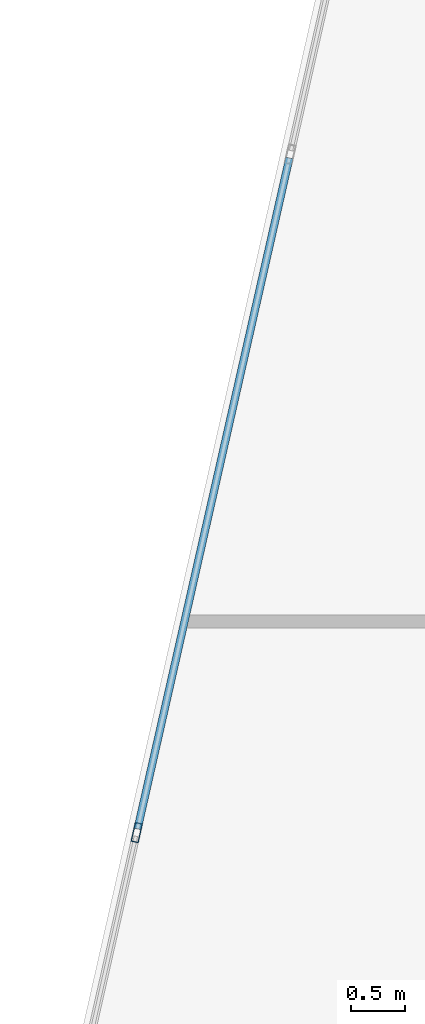
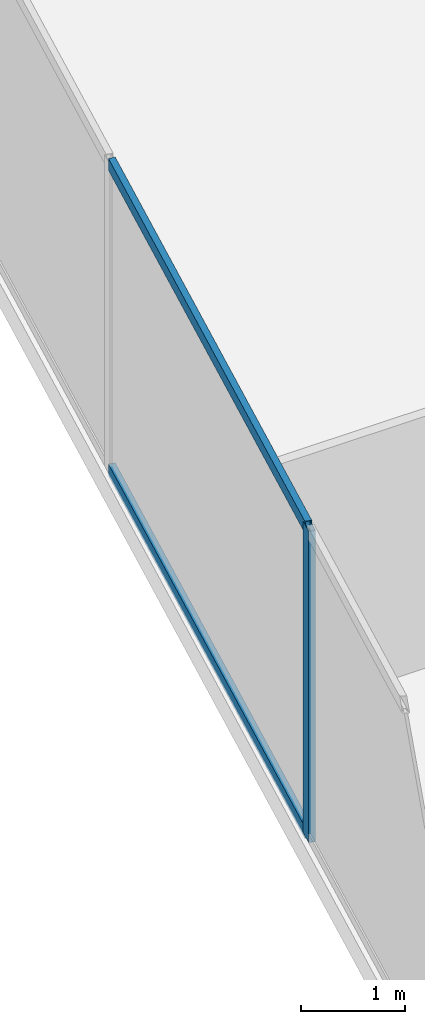
# One storey, part 8 of 26: 3 members, 1 element without a shape of its own.
"""IFC4 building model written with IfcOpenShell, lengths in metres."""

from ifc_helpers import new_model, si_unit, direction, frame, origin, origin_2d, place, context, subcontext, project, spatial, hollow_rectangle, extrude, source, transform, mapped, material, material_profile, profile_set, type_object, type_shapes, element, aggregate, save


model = new_model("IFC4")

# Units and contexts
model_context = context("Model", 3, precision=1e-05, world=origin(), true_north=direction((0.0, 1.0)))
body_context = subcontext(model_context, "Body", "Model", "MODEL_VIEW")
ifc_project = project(units=[si_unit("LENGTHUNIT", "METRE"), si_unit("AREAUNIT", "SQUARE_METRE"), si_unit("VOLUMEUNIT", "CUBIC_METRE"), si_unit("PLANEANGLEUNIT", "RADIAN"), si_unit("MASSUNIT", "GRAM", prefix="KILO")], contexts=[model_context])

# Site, building, storey
site_placement = place(None, origin())
site = spatial("IfcSite", under=ifc_project, at=site_placement, CompositionType="ELEMENT")
building_placement = place(site_placement, origin())
building = spatial("IfcBuilding", under=site, at=building_placement, Name="Krantzveldt Concourse Tower", CompositionType="ELEMENT")
storey_placement = place(building_placement, frame((0.0, 0.0, 90.050048828125)))
storey = spatial("IfcBuildingStorey", under=building, at=storey_placement, Name="L21", CompositionType="ELEMENT", Elevation=90.050048828125)

# Curtain wall, members
ifc_material = material(Name="Anodised aluminium 6063-T6", Category="aluminium")
curtain_wall_type = type_object("IfcCurtainWallType", Name="CW2", PredefinedType="USERDEFINED", material=ifc_material)
curtain_wall_placement = place(storey_placement, origin())
curtain_wall = element("IfcCurtainWall", 1, at=curtain_wall_placement, inside=storey, type_object=curtain_wall_type, Name="CW-L21-F01", ObjectType="UNITISED CURTAIN WALL", PredefinedType="USERDEFINED")
ifc_material_profile_1 = material_profile(ifc_material, hollow_rectangle(XDim=0.070068359375, YDim=0.179931640625, WallThickness=0.0048828125, at=origin_2d()), Name="Anodised aluminium 6063-T6", Category="aluminium")
ifc_profile_set_1 = profile_set([ifc_material_profile_1], Name="Anodised aluminium 6063-T6 - ALU-MULL 180x70x5")
member_type_1 = type_object("IfcMemberType", Name="CW-MUL-180", PredefinedType="MULLION", material=ifc_profile_set_1)
shared_shape_1 = source(origin(), body_context, "Body", "SweptSolid", [
    extrude(hollow_rectangle(XDim=0.070068359375, YDim=0.179931640625, WallThickness=0.0048828125, at=origin_2d()), origin(), (0.0, 0.0, 1.0), 3.669921875),
])
type_shapes(member_type_1, [shared_shape_1])
member_1_placement = place(storey_placement, frame((11.837646484375, 25.537353515625, 0.0), z_axis=(0.0, 0.0, 1.0), x_axis=(0.975342320609, -0.220697434579, 0.0)))
member_1 = element("IfcMember", 2, at=member_1_placement, type_object=member_type_1, Name="CW-Z12 mullion 5", PredefinedType="MULLION", context=body_context, shape_type="MappedRepresentation", body=[
    mapped(shared_shape_1, transform((0.0, 0.0, 0.0), x_axis=(1.0, 0.0, 0.0), y_axis=(0.0, 1.0, 0.0), z_axis=(0.0, 0.0, 1.0), scale=1.0)),
])
ifc_material_profile_2 = material_profile(ifc_material, hollow_rectangle(XDim=0.070068359375, YDim=0.139892578125, WallThickness=0.0048828125, at=origin_2d()), Name="Anodised aluminium 6063-T6", Category="aluminium")
ifc_profile_set_2 = profile_set([ifc_material_profile_2], Name="Anodised aluminium 6063-T6 - ALU-TRAN 140x70x5")
member_type_2 = type_object("IfcMemberType", Name="CW-TRN-150", PredefinedType="USERDEFINED", material=ifc_profile_set_2)
shared_shape_2 = source(origin(), body_context, "Body", "SweptSolid", [
    extrude(hollow_rectangle(XDim=0.070068359375, YDim=0.139892578125, WallThickness=0.0048828125, at=origin_2d()), origin(), (0.0, 0.0, 1.0), 6.396728515625),
])
type_shapes(member_type_2, [shared_shape_2])
member_2_placement = place(storey_placement, frame((13.257080078125, 31.810302734375, 0.034912109375), z_axis=(-0.220715365874, -0.975338262998, 0.0), x_axis=(0.975338262998, -0.220715365874, 0.0)))
member_2 = element("IfcMember", 3, at=member_2_placement, type_object=member_type_2, Name="CW-Z12 transom 4.1", ObjectType="TRANSOM", PredefinedType="USERDEFINED", context=body_context, shape_type="MappedRepresentation", body=[
    mapped(shared_shape_2, transform((0.0, 0.0, 0.0), x_axis=(1.0, 0.0, 0.0), y_axis=(0.0, 1.0, 0.0), z_axis=(0.0, 0.0, 1.0), scale=1.0)),
])
member_3_placement = place(storey_placement, frame((13.257080078125, 31.810302734375, 3.635009765625), z_axis=(-0.220715365874, -0.975338262998, 0.0), x_axis=(0.975338262998, -0.220715365874, 0.0)))
member_3 = element("IfcMember", 4, at=member_3_placement, type_object=member_type_2, Name="CW-Z12 transom 4.2", ObjectType="TRANSOM", PredefinedType="USERDEFINED", context=body_context, shape_type="MappedRepresentation", body=[
    mapped(shared_shape_2, transform((0.0, 0.0, 0.0), x_axis=(1.0, 0.0, 0.0), y_axis=(0.0, 1.0, 0.0), z_axis=(0.0, 0.0, 1.0), scale=1.0)),
])
aggregate(curtain_wall, [member_1, member_2, member_3])

save(model, "model.ifc")
